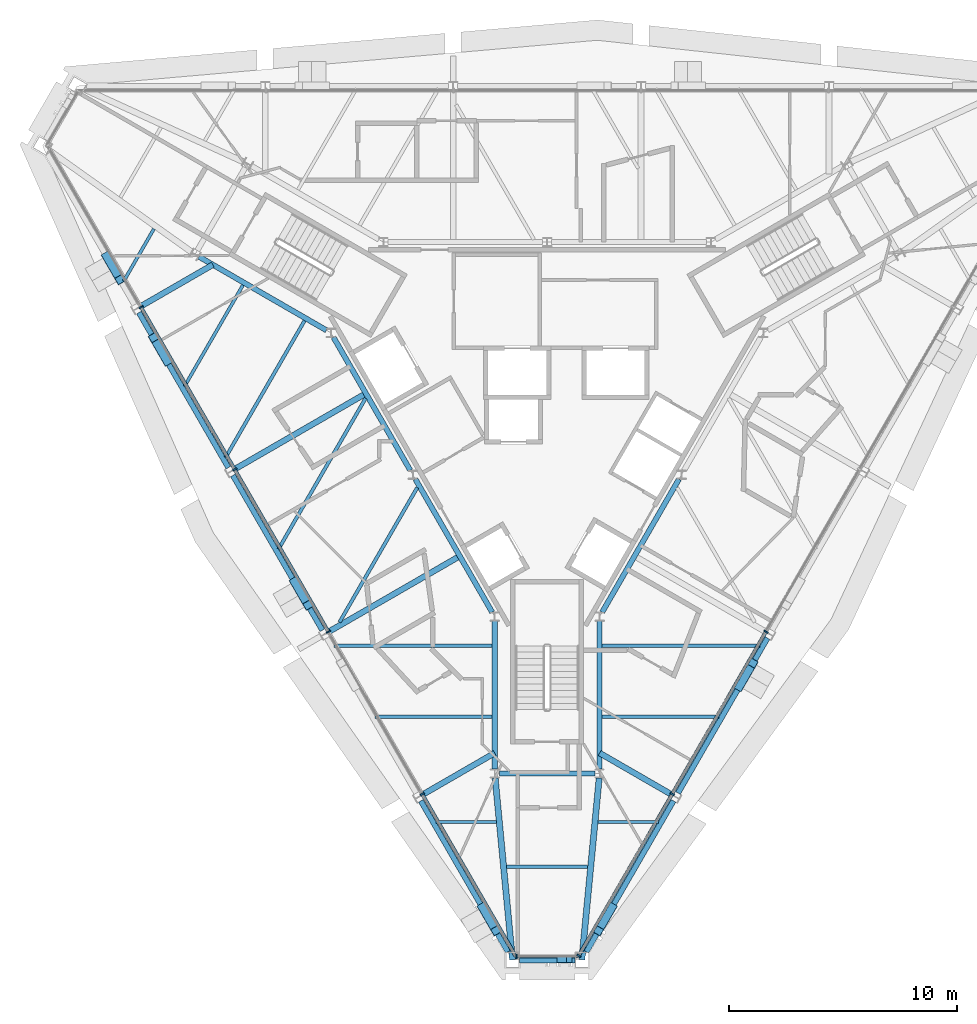
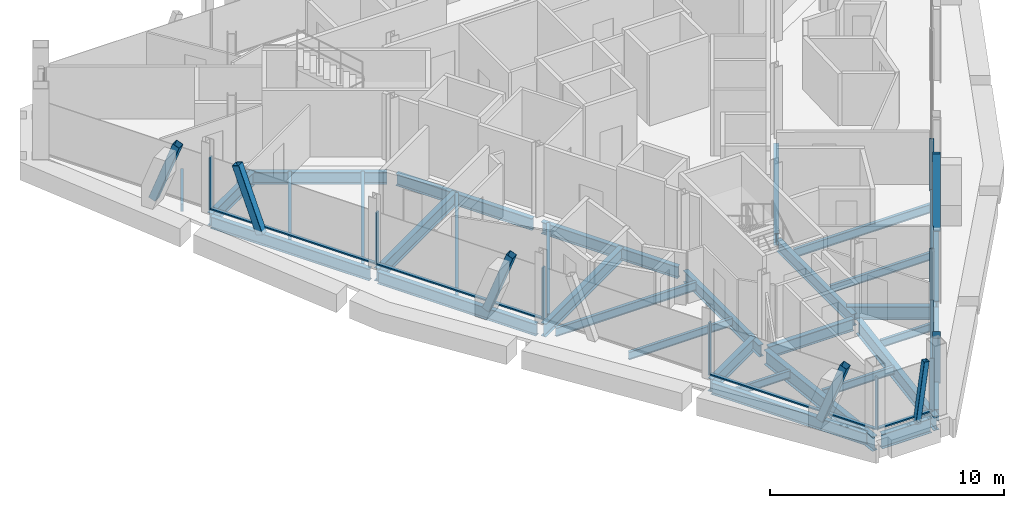
# One storey, part 3 of 13: 32 beams, 21 members, 3 elements without a shape of their own.
"""IFC4 building model written with IfcOpenShell, lengths in metres."""

from ifc_helpers import new_model, si_unit, direction, frame, origin, origin_2d, place, context, subcontext, project, spatial, rectangle, hollow_rectangle, i_section, extrude, material, material_profile, profile_set, type_object, element, aggregate, save


model = new_model("IFC4")

# Units and contexts
model_context = context("Model", 3, precision=1e-05, world=origin(), true_north=direction((0.0, 1.0)))
body_context = subcontext(model_context, "Body", "Model", "MODEL_VIEW")
ifc_project = project(units=[si_unit("LENGTHUNIT", "METRE"), si_unit("AREAUNIT", "SQUARE_METRE"), si_unit("VOLUMEUNIT", "CUBIC_METRE"), si_unit("PLANEANGLEUNIT", "RADIAN"), si_unit("MASSUNIT", "GRAM", prefix="KILO")], contexts=[model_context])

# Site, building, storey
site_placement = place(None, origin())
site = spatial("IfcSite", under=ifc_project, at=site_placement, CompositionType="ELEMENT")
building_placement = place(site_placement, origin())
building = spatial("IfcBuilding", under=site, at=building_placement, Name="Verrane Prism Tower", CompositionType="ELEMENT")
storey_placement = place(building_placement, frame((0.0, 0.0, 278.800048828125)))
storey = spatial("IfcBuildingStorey", under=building, at=storey_placement, Name="L70", CompositionType="ELEMENT", Elevation=278.800048828125)

# Member
ifc_material_1 = material(Name="Steel A500 Grade C", Category="steel")
ifc_material_profile_1 = material_profile(ifc_material_1, hollow_rectangle(XDim=0.25390625, YDim=0.25390625, WallThickness=0.009521484375, InnerFilletRadius=0.0048828125, OuterFilletRadius=0.014404296875, at=origin_2d()), Name="HSS10x10x3/8")
ifc_profile_set_1 = profile_set([ifc_material_profile_1], Name="Steel A500 Grade C")
member_type_1 = type_object("IfcMemberType", Name="Chamfer brace HSS10x10x3/8", PredefinedType="BRACE", material=ifc_profile_set_1)
member_1_placement = place(storey_placement, frame((0.547119140625, -24.669921875, -0.24267578125), z_axis=(0.135720914118, 0.0, 0.990747108737), x_axis=(0.0, 1.0, 0.0)))
element("IfcMember", 1, at=member_1_placement, inside=storey, type_object=member_type_1, Name="Chamfer brace S0 L70", PredefinedType="BRACE", context=body_context, shape_type="SweptSolid", body=[
    extrude(hollow_rectangle(XDim=0.25390625, YDim=0.25390625, WallThickness=0.009521484375, InnerFilletRadius=0.0048828125, OuterFilletRadius=0.014404296875, at=origin_2d()), origin(), (0.0, 0.0, 1.0), 3.13720703125),
])

# Beams
ifc_material_2 = material(Name="Steel A992", Category="steel")
ifc_material_profile_2 = material_profile(ifc_material_2, i_section(OverallWidth=0.2666015625, OverallDepth=0.7568359375, WebThickness=0.013916015625, FlangeThickness=0.019287109375, FilletRadius=0.0166015625, at=origin_2d()), Name="W30x108")
ifc_profile_set_2 = profile_set([ifc_material_profile_2], Name="Steel A992")
beam_type_1 = type_object("IfcBeamType", Name="Chamfer spandrel beam W30x108", PredefinedType="SPANDREL", material=ifc_profile_set_2)
beam_1_placement = place(storey_placement, frame((-1.219970703125, -24.669921875, -0.53857421875), z_axis=(1.0, 0.0, 0.0), x_axis=(0.0, 1.0, 0.0)))
element("IfcBeam", 2, at=beam_1_placement, inside=storey, type_object=beam_type_1, Name="Chamfer spandrel beam L70", PredefinedType="SPANDREL", context=body_context, shape_type="SweptSolid", body=[
    extrude(i_section(OverallWidth=0.2666015625, OverallDepth=0.7568359375, WebThickness=0.013916015625, FlangeThickness=0.019287109375, FilletRadius=0.0166015625, at=origin_2d()), origin(), (0.0, 0.0, 1.0), 2.43994140625),
])
ifc_material_3 = material(Name="Steel A992", Category="steel")
ifc_material_profile_3 = material_profile(ifc_material_3, i_section(OverallWidth=0.23046875, OverallDepth=0.6171875, WebThickness=0.01318359375, FlangeThickness=0.022216796875, FilletRadius=0.012939453125, at=origin_2d()), Name="W24x94")
ifc_profile_set_3 = profile_set([ifc_material_profile_3], Name="Steel A992")
beam_type_2 = type_object("IfcBeamType", Name="Core ring girder W24x94", PredefinedType="BEAM", material=ifc_profile_set_3)
beam_2_placement = place(storey_placement, frame((-15.267333984375, 6.160400390625, -0.55859375), z_axis=(0.866080992722, -0.499903704773, 0.0), x_axis=(0.499903704773, 0.866080992722, 0.0)))
element("IfcBeam", 3, at=beam_2_placement, inside=storey, type_object=beam_type_2, Name="Core ring girder L70", PredefinedType="BEAM", context=body_context, shape_type="SweptSolid", body=[
    extrude(i_section(OverallWidth=0.23046875, OverallDepth=0.6171875, WebThickness=0.01318359375, FlangeThickness=0.022216796875, FilletRadius=0.012939453125, at=origin_2d()), origin(), (0.0, 0.0, 1.0), 6.451904296875),
])
for number, where, z_axis, x_axis, name in (
    (4, (-9.36865234375, 2.626953125, -0.55859375), (0.499881421193, -0.866093854468, 0.0), (0.866093854468, 0.499881421193, 0.0), "Core ring girder L70"),
    (5, (-5.778564453125, -3.593017578125, -0.55859375), (0.499881421193, -0.866093854468, 0.0), (0.866093854468, 0.499881421193, 0.0), "Core ring girder L70"),
):
    element("IfcBeam", number, at=place(storey_placement, frame(where, z_axis=z_axis, x_axis=x_axis)), inside=storey, type_object=beam_type_2, Name=name, PredefinedType="BEAM", context=body_context, shape_type="SweptSolid", body=[
        extrude(i_section(OverallWidth=0.23046875, OverallDepth=0.6171875, WebThickness=0.01318359375, FlangeThickness=0.022216796875, FilletRadius=0.012939453125, at=origin_2d()), origin(), (0.0, 0.0, 1.0), 6.736083984375),
    ])
beam_3_placement = place(storey_placement, frame((-2.300048828125, -9.81298828125, -0.55859375), z_axis=(0.0, -1.0, 0.0), x_axis=(1.0, 0.0, 0.0)))
element("IfcBeam", 6, at=beam_3_placement, inside=storey, type_object=beam_type_2, Name="Core ring girder L70", PredefinedType="BEAM", context=body_context, shape_type="SweptSolid", body=[
    extrude(i_section(OverallWidth=0.23046875, OverallDepth=0.6171875, WebThickness=0.01318359375, FlangeThickness=0.022216796875, FilletRadius=0.012939453125, at=origin_2d()), origin(), (0.0, 0.0, 1.0), 6.487548828125),
])
beam_4_placement = place(storey_placement, frame((-2.099365234375, -16.5, -0.55859375), z_axis=(1.0, 0.0, 0.0), x_axis=(0.0, 1.0, 0.0)))
element("IfcBeam", 7, at=beam_4_placement, inside=storey, type_object=beam_type_2, Name="Core ring girder L70", PredefinedType="BEAM", context=body_context, shape_type="SweptSolid", body=[
    extrude(i_section(OverallWidth=0.23046875, OverallDepth=0.6171875, WebThickness=0.01318359375, FlangeThickness=0.022216796875, FilletRadius=0.012939453125, at=origin_2d()), origin(), (0.0, 0.0, 1.0), 4.19873046875),
])
beam_5_placement = place(storey_placement, frame((2.300048828125, -16.300537109375, -0.55859375), z_axis=(0.0, 1.0, 0.0), x_axis=(-1.0, 0.0, 0.0)))
element("IfcBeam", 8, at=beam_5_placement, inside=storey, type_object=beam_type_2, Name="Core ring girder L70", PredefinedType="BEAM", context=body_context, shape_type="SweptSolid", body=[
    extrude(i_section(OverallWidth=0.23046875, OverallDepth=0.6171875, WebThickness=0.01318359375, FlangeThickness=0.022216796875, FilletRadius=0.012939453125, at=origin_2d()), origin(), (0.0, 0.0, 1.0), 6.487548828125),
])
beam_6_placement = place(storey_placement, frame((2.411376953125, -9.427001953125, -0.55859375), z_axis=(0.499881421193, 0.866093854468, 0.0), x_axis=(-0.866093854468, 0.499881421193, 0.0)))
element("IfcBeam", 9, at=beam_6_placement, inside=storey, type_object=beam_type_2, Name="Core ring girder L70", PredefinedType="BEAM", context=body_context, shape_type="SweptSolid", body=[
    extrude(i_section(OverallWidth=0.23046875, OverallDepth=0.6171875, WebThickness=0.01318359375, FlangeThickness=0.022216796875, FilletRadius=0.012939453125, at=origin_2d()), origin(), (0.0, 0.0, 1.0), 6.736083984375),
])
ifc_material_4 = material(Name="Steel A992", Category="steel")
ifc_material_profile_4 = material_profile(ifc_material_4, i_section(OverallWidth=0.2666015625, OverallDepth=0.7568359375, WebThickness=0.013916015625, FlangeThickness=0.019287109375, FilletRadius=0.0166015625, at=origin_2d()), Name="W30x108")
ifc_profile_set_4 = profile_set([ifc_material_profile_4], Name="Steel A992")
beam_type_3 = type_object("IfcBeamType", Name="Corner girder W30x108", PredefinedType="BEAM", material=ifc_profile_set_4)
for number, where, z_axis, x_axis, name in (
    (10, (-1.520263671875, -24.667236328125, -0.5986328125), (-0.095045157177, 0.995472962012, 0.0), (-0.995472962012, -0.095045157177, 0.0), "Corner girder L70"),
    (11, (1.520263671875, -24.667236328125, -0.5986328125), (0.095045157177, 0.995472962012, 0.0), (-0.995472962012, 0.095045157177, 0.0), "Corner girder L70"),
):
    element("IfcBeam", number, at=place(storey_placement, frame(where, z_axis=z_axis, x_axis=x_axis)), inside=storey, type_object=beam_type_3, Name=name, PredefinedType="BEAM", context=body_context, shape_type="SweptSolid", body=[
        extrude(i_section(OverallWidth=0.2666015625, OverallDepth=0.7568359375, WebThickness=0.013916015625, FlangeThickness=0.019287109375, FilletRadius=0.0166015625, at=origin_2d()), origin(), (0.0, 0.0, 1.0), 8.00390625),
    ])

# Members
ifc_material_5 = material(Name="Steel A500 Grade C", Category="steel")
ifc_material_profile_5 = material_profile(ifc_material_5, hollow_rectangle(XDim=0.355712890625, YDim=0.355712890625, WallThickness=0.0126953125, InnerFilletRadius=0.00634765625, OuterFilletRadius=0.01904296875, at=origin_2d()), Name="HSS14x14x1/2")
ifc_profile_set_5 = profile_set([ifc_material_profile_5], Name="Steel A500 Grade C")
member_type_2 = type_object("IfcMemberType", Name="Facade brace HSS14x14x1/2", PredefinedType="BRACE", material=ifc_profile_set_5)
member_2_placement = place(storey_placement, frame((-19.32666015625, 6.178955078125, -0.216796875), z_axis=(0.17399901277, -0.301526684269, 0.937446532997), x_axis=(0.86613421761, 0.499811481546, 0.0)))
element("IfcMember", 12, at=member_2_placement, inside=storey, type_object=member_type_2, Name="Facade brace SW0 L70", PredefinedType="BRACE", context=body_context, shape_type="SweptSolid", body=[
    extrude(hollow_rectangle(XDim=0.355712890625, YDim=0.355712890625, WallThickness=0.0126953125, InnerFilletRadius=0.00634765625, OuterFilletRadius=0.01904296875, at=origin_2d()), origin(), (0.0, 0.0, 1.0), 3.40966796875),
])
member_3_placement = place(storey_placement, frame((-16.67333984375, 1.5810546875, -0.216796875), z_axis=(-0.174002769202, 0.301461587794, 0.937466771355), x_axis=(-0.86608282171, -0.499900536046, 0.0)))
element("IfcMember", 13, at=member_3_placement, inside=storey, type_object=member_type_2, Name="Facade brace SW1 L70", PredefinedType="BRACE", context=body_context, shape_type="SweptSolid", body=[
    extrude(hollow_rectangle(XDim=0.355712890625, YDim=0.355712890625, WallThickness=0.0126953125, InnerFilletRadius=0.00634765625, OuterFilletRadius=0.01904296875, at=origin_2d()), origin(), (0.0, 0.0, 1.0), 3.409423828125),
])
member_4_placement = place(storey_placement, frame((-11.086669921875, -8.09423828125, -0.216796875), z_axis=(0.174021541625, -0.301136042195, 0.937567910682), x_axis=(0.865825429664, 0.500346205489, 0.0)))
element("IfcMember", 14, at=member_4_placement, inside=storey, type_object=member_type_2, Name="Facade brace SW2 L70", PredefinedType="BRACE", context=body_context, shape_type="SweptSolid", body=[
    extrude(hollow_rectangle(XDim=0.355712890625, YDim=0.355712890625, WallThickness=0.0126953125, InnerFilletRadius=0.00634765625, OuterFilletRadius=0.01904296875, at=origin_2d()), origin(), (0.0, 0.0, 1.0), 3.4091796875),
])
for number, where, z_axis, x_axis, name in (
    (15, (-2.8466796875, -22.37109375, -0.216796875), (0.174002769202, -0.301461587794, 0.937466771355), (0.86608282171, 0.499900536046, 0.0), "Facade brace SW4 L70"),
    (16, (2.8466796875, -22.37109375, -0.216796875), (-0.174002769202, -0.301461587794, 0.937466771355), (0.86608282171, -0.499900536046, 0.0), "Facade brace SE0 L70"),
):
    element("IfcMember", number, at=place(storey_placement, frame(where, z_axis=z_axis, x_axis=x_axis)), inside=storey, type_object=member_type_2, Name=name, PredefinedType="BRACE", context=body_context, shape_type="SweptSolid", body=[
        extrude(hollow_rectangle(XDim=0.355712890625, YDim=0.355712890625, WallThickness=0.0126953125, InnerFilletRadius=0.00634765625, OuterFilletRadius=0.01904296875, at=origin_2d()), origin(), (0.0, 0.0, 1.0), 3.409423828125),
    ])
member_5_placement = place(storey_placement, frame((8.433349609375, -12.68896484375, -0.216796875), z_axis=(0.17399901277, 0.301526684269, 0.937446532997), x_axis=(-0.86613421761, 0.499811481546, 0.0)))
element("IfcMember", 17, at=member_5_placement, inside=storey, type_object=member_type_2, Name="Facade brace SE1 L70", PredefinedType="BRACE", context=body_context, shape_type="SweptSolid", body=[
    extrude(hollow_rectangle(XDim=0.355712890625, YDim=0.355712890625, WallThickness=0.0126953125, InnerFilletRadius=0.00634765625, OuterFilletRadius=0.01904296875, at=origin_2d()), origin(), (0.0, 0.0, 1.0), 3.40966796875),
])

# Beams
ifc_material_6 = material(Name="Steel A992", Category="steel")
ifc_material_profile_6 = material_profile(ifc_material_6, i_section(OverallWidth=0.140380859375, OverallDepth=0.40380859375, WebThickness=0.007080078125, FlangeThickness=0.01123046875, FilletRadius=0.01025390625, at=origin_2d()), Name="W16x31")
ifc_profile_set_6 = profile_set([ifc_material_profile_6], Name="Steel A992")
beam_type_4 = type_object("IfcBeamType", Name="Floor beam W16x31", PredefinedType="BEAM", material=ifc_profile_set_6)
beam_7_placement = place(storey_placement, frame((-18.565185546875, 5.089599609375, -0.362060546875), z_axis=(0.49994082229, 0.866059567356, 0.0), x_axis=(-0.866059567356, 0.49994082229, 0.0)))
element("IfcBeam", 18, at=beam_7_placement, inside=storey, type_object=beam_type_4, Name="Floor beam L70", PredefinedType="BEAM", context=body_context, shape_type="SweptSolid", body=[
    extrude(i_section(OverallWidth=0.140380859375, OverallDepth=0.40380859375, WebThickness=0.007080078125, FlangeThickness=0.01123046875, FilletRadius=0.01025390625, at=origin_2d()), origin(), (0.0, 0.0, 1.0), 2.645263671875),
])
beam_8_placement = place(storey_placement, frame((-15.902099609375, 0.474609375, -0.362060546875), z_axis=(0.500011000363, 0.866019052629, 0.0), x_axis=(-0.866019052629, 0.500011000363, 0.0)))
element("IfcBeam", 19, at=beam_8_placement, inside=storey, type_object=beam_type_4, Name="Floor beam L70", PredefinedType="BEAM", context=body_context, shape_type="SweptSolid", body=[
    extrude(i_section(OverallWidth=0.140380859375, OverallDepth=0.40380859375, WebThickness=0.007080078125, FlangeThickness=0.01123046875, FilletRadius=0.01025390625, at=origin_2d()), origin(), (0.0, 0.0, 1.0), 5.126953125),
])
beam_9_placement = place(storey_placement, frame((-7.538330078125, -14.010009765625, -0.362060546875), z_axis=(1.0, 0.0, 0.0), x_axis=(0.0, 1.0, 0.0)))
element("IfcBeam", 20, at=beam_9_placement, inside=storey, type_object=beam_type_4, Name="Floor beam L70", PredefinedType="BEAM", context=body_context, shape_type="SweptSolid", body=[
    extrude(i_section(OverallWidth=0.140380859375, OverallDepth=0.40380859375, WebThickness=0.007080078125, FlangeThickness=0.01123046875, FilletRadius=0.01025390625, at=origin_2d()), origin(), (0.0, 0.0, 1.0), 5.123291015625),
])
for number, where, z_axis, x_axis, name in (
    (21, (-4.876220703125, -18.623291015625, -0.362060546875), (1.0, 0.0, 0.0), (0.0, 1.0, 0.0), "Floor beam L70"),
    (22, (2.2314453125, -18.623291015625, -0.362060546875), (1.0, 0.0, 0.0), (0.0, 1.0, 0.0), "Floor beam L70"),
):
    element("IfcBeam", number, at=place(storey_placement, frame(where, z_axis=z_axis, x_axis=x_axis)), inside=storey, type_object=beam_type_4, Name=name, PredefinedType="BEAM", context=body_context, shape_type="SweptSolid", body=[
        extrude(i_section(OverallWidth=0.140380859375, OverallDepth=0.40380859375, WebThickness=0.007080078125, FlangeThickness=0.01123046875, FilletRadius=0.01025390625, at=origin_2d()), origin(), (0.0, 0.0, 1.0), 2.644775390625),
    ])
beam_10_placement = place(storey_placement, frame((2.4150390625, -14.010009765625, -0.362060546875), z_axis=(1.0, 0.0, 0.0), x_axis=(0.0, 1.0, 0.0)))
element("IfcBeam", 23, at=beam_10_placement, inside=storey, type_object=beam_type_4, Name="Floor beam L70", PredefinedType="BEAM", context=body_context, shape_type="SweptSolid", body=[
    extrude(i_section(OverallWidth=0.140380859375, OverallDepth=0.40380859375, WebThickness=0.007080078125, FlangeThickness=0.01123046875, FilletRadius=0.01025390625, at=origin_2d()), origin(), (0.0, 0.0, 1.0), 5.123291015625),
])
beam_11_placement = place(storey_placement, frame((-1.77587890625, -20.5849609375, -0.362060546875), z_axis=(1.0, 0.0, 0.0), x_axis=(0.0, 1.0, 0.0)))
element("IfcBeam", 24, at=beam_11_placement, inside=storey, type_object=beam_type_4, Name="Floor beam L70", PredefinedType="BEAM", context=body_context, shape_type="SweptSolid", body=[
    extrude(i_section(OverallWidth=0.140380859375, OverallDepth=0.40380859375, WebThickness=0.007080078125, FlangeThickness=0.01123046875, FilletRadius=0.01025390625, at=origin_2d()), origin(), (0.0, 0.0, 1.0), 3.5517578125),
])
ifc_material_7 = material(Name="Steel A992", Category="steel")
ifc_material_profile_7 = material_profile(ifc_material_7, i_section(OverallWidth=0.15234375, OverallDepth=0.449462890625, WebThickness=0.007568359375, FlangeThickness=0.0107421875, FilletRadius=0.01025390625, at=origin_2d()), Name="W18x35")
ifc_profile_set_7 = profile_set([ifc_material_profile_7], Name="Steel A992")
beam_type_5 = type_object("IfcBeamType", Name="Floor beam W18x35", PredefinedType="BEAM", material=ifc_profile_set_7)
beam_12_placement = place(storey_placement, frame((-14.1015625, -2.64599609375, -0.384765625), z_axis=(0.49999287541, 0.866029517129, 0.0), x_axis=(-0.866029517129, 0.49999287541, 0.0)))
element("IfcBeam", 25, at=beam_12_placement, inside=storey, type_object=beam_type_5, Name="Floor beam L70", PredefinedType="BEAM", context=body_context, shape_type="SweptSolid", body=[
    extrude(i_section(OverallWidth=0.15234375, OverallDepth=0.449462890625, WebThickness=0.007568359375, FlangeThickness=0.0107421875, FilletRadius=0.01025390625, at=origin_2d()), origin(), (0.0, 0.0, 1.0), 6.92919921875),
])
beam_13_placement = place(storey_placement, frame((-9.103271484375, -9.864501953125, -0.384765625), z_axis=(0.49999337185, 0.866029230515, 0.0), x_axis=(-0.866029230515, 0.49999337185, 0.0)))
element("IfcBeam", 26, at=beam_13_placement, inside=storey, type_object=beam_type_5, Name="Floor beam L70", PredefinedType="BEAM", context=body_context, shape_type="SweptSolid", body=[
    extrude(i_section(OverallWidth=0.15234375, OverallDepth=0.449462890625, WebThickness=0.007568359375, FlangeThickness=0.0107421875, FilletRadius=0.01025390625, at=origin_2d()), origin(), (0.0, 0.0, 1.0), 6.8125),
])
beam_14_placement = place(storey_placement, frame((-11.78076171875, -6.6630859375, -0.384765625), z_axis=(0.499997113229, 0.866027070456, 0.0), x_axis=(-0.866027070456, 0.499997113229, 0.0)))
element("IfcBeam", 27, at=beam_14_placement, inside=storey, type_object=beam_type_5, Name="Floor beam L70", PredefinedType="BEAM", context=body_context, shape_type="SweptSolid", body=[
    extrude(i_section(OverallWidth=0.15234375, OverallDepth=0.449462890625, WebThickness=0.007568359375, FlangeThickness=0.0107421875, FilletRadius=0.01025390625, at=origin_2d()), origin(), (0.0, 0.0, 1.0), 7.64306640625),
])
for number, where, z_axis, x_axis, name in (
    (28, (-9.338623046875, -10.889892578125, -0.384765625), (1.0, 0.0, 0.0), (0.0, 1.0, 0.0), "Floor beam L70"),
    (29, (2.4150390625, -10.889892578125, -0.384765625), (1.0, 0.0, 0.0), (0.0, 1.0, 0.0), "Floor beam L70"),
):
    element("IfcBeam", number, at=place(storey_placement, frame(where, z_axis=z_axis, x_axis=x_axis)), inside=storey, type_object=beam_type_5, Name=name, PredefinedType="BEAM", context=body_context, shape_type="SweptSolid", body=[
        extrude(i_section(OverallWidth=0.15234375, OverallDepth=0.449462890625, WebThickness=0.007568359375, FlangeThickness=0.0107421875, FilletRadius=0.01025390625, at=origin_2d()), origin(), (0.0, 0.0, 1.0), 6.923583984375),
    ])

# Curtain wall, members
ifc_material_8 = material(Name="Aluminium framed insulated glazing", Category="aluminium")
curtain_wall_type = type_object("IfcCurtainWallType", Name="Curtain wall CW-A 8400 module", PredefinedType="NOTDEFINED", material=ifc_material_8)
curtain_wall_1_placement = place(storey_placement, origin())
curtain_wall_1 = element("IfcCurtainWall", 30, at=curtain_wall_1_placement, inside=storey, type_object=curtain_wall_type, Name="Glazed curtain wall south-west face L70", PredefinedType="NOTDEFINED")
ifc_material_9 = material(Name="Aluminium alloy 6063-T6", Category="aluminium")
ifc_material_profile_8 = material_profile(ifc_material_9, rectangle(XDim=0.199951171875, YDim=0.070068359375, at=origin_2d()), Name="Mullion 70x200 aluminium")
ifc_profile_set_8 = profile_set([ifc_material_profile_8], Name="Aluminium alloy 6063-T6")
member_type_3 = type_object("IfcMemberType", Name="Mullion 70x200 aluminium", PredefinedType="MULLION", material=ifc_profile_set_8)
member_6_placement = place(storey_placement, frame((-17.8095703125, 3.952392578125, 0.0), z_axis=(0.0, 0.0, 1.0), x_axis=(0.866024861728, 0.500000938868, 0.0)))
member_6 = element("IfcMember", 31, at=member_6_placement, type_object=member_type_3, Name="CW69.4 mullion 2", PredefinedType="MULLION", context=body_context, shape_type="SweptSolid", body=[
    extrude(rectangle(XDim=0.199951171875, YDim=0.070068359375, at=origin_2d()), origin(), (0.0, 0.0, 1.0), 2.72314453125),
])
member_7_placement = place(storey_placement, frame((-13.7001953125, -3.1650390625, 0.0), z_axis=(0.0, 0.0, 1.0), x_axis=(0.866024861728, 0.500000938868, 0.0)))
member_7 = element("IfcMember", 32, at=member_7_placement, type_object=member_type_3, Name="CW69.4 mullion 3", PredefinedType="MULLION", context=body_context, shape_type="SweptSolid", body=[
    extrude(rectangle(XDim=0.199951171875, YDim=0.070068359375, at=origin_2d()), origin(), (0.0, 0.0, 1.0), 2.72314453125),
])
member_8_placement = place(storey_placement, frame((-9.591064453125, -10.2822265625, 0.0), z_axis=(0.0, 0.0, 1.0), x_axis=(0.866024861728, 0.500000938868, 0.0)))
member_8 = element("IfcMember", 33, at=member_8_placement, type_object=member_type_3, Name="CW69.4 mullion 4", PredefinedType="MULLION", context=body_context, shape_type="SweptSolid", body=[
    extrude(rectangle(XDim=0.199951171875, YDim=0.070068359375, at=origin_2d()), origin(), (0.0, 0.0, 1.0), 2.72314453125),
])
member_9_placement = place(storey_placement, frame((-5.48193359375, -17.399658203125, 0.0), z_axis=(0.0, 0.0, 1.0), x_axis=(0.866024861728, 0.500000938868, 0.0)))
member_9 = element("IfcMember", 34, at=member_9_placement, type_object=member_type_3, Name="CW69.4 mullion 5", PredefinedType="MULLION", context=body_context, shape_type="SweptSolid", body=[
    extrude(rectangle(XDim=0.199951171875, YDim=0.070068359375, at=origin_2d()), origin(), (0.0, 0.0, 1.0), 2.72314453125),
])

# Curtain wall, member
curtain_wall_2_placement = place(storey_placement, origin())
curtain_wall_2 = element("IfcCurtainWall", 35, at=curtain_wall_2_placement, inside=storey, type_object=curtain_wall_type, Name="Glazed curtain wall south corner L70", PredefinedType="NOTDEFINED")
member_10_placement = place(storey_placement, frame((-1.337646484375, -24.51708984375, 0.0), z_axis=(0.0, 0.0, 1.0), x_axis=(0.0, 1.0, 0.0)))
member_10 = element("IfcMember", 36, at=member_10_placement, type_object=member_type_3, Name="CW69.5 mullion 1", PredefinedType="MULLION", context=body_context, shape_type="SweptSolid", body=[
    extrude(rectangle(XDim=0.199951171875, YDim=0.070068359375, at=origin_2d()), origin(), (0.0, 0.0, 1.0), 2.72314453125),
])

# Curtain wall, members
curtain_wall_3_placement = place(storey_placement, origin())
curtain_wall_3 = element("IfcCurtainWall", 37, at=curtain_wall_3_placement, inside=storey, type_object=curtain_wall_type, Name="Glazed curtain wall south-east face L70", PredefinedType="NOTDEFINED")
member_11_placement = place(storey_placement, frame((1.39013671875, -24.486572265625, 0.0), z_axis=(0.0, 0.0, 1.0), x_axis=(-0.866024861728, 0.500000938868, 0.0)))
member_11 = element("IfcMember", 38, at=member_11_placement, type_object=member_type_3, Name="CW69.6 mullion 1", PredefinedType="MULLION", context=body_context, shape_type="SweptSolid", body=[
    extrude(rectangle(XDim=0.199951171875, YDim=0.070068359375, at=origin_2d()), origin(), (0.0, 0.0, 1.0), 2.72314453125),
])
member_12_placement = place(storey_placement, frame((5.48193359375, -17.399658203125, 0.0), z_axis=(0.0, 0.0, 1.0), x_axis=(-0.866024861728, 0.500000938868, 0.0)))
member_12 = element("IfcMember", 39, at=member_12_placement, type_object=member_type_3, Name="CW69.6 mullion 2", PredefinedType="MULLION", context=body_context, shape_type="SweptSolid", body=[
    extrude(rectangle(XDim=0.199951171875, YDim=0.070068359375, at=origin_2d()), origin(), (0.0, 0.0, 1.0), 2.72314453125),
])
member_13_placement = place(storey_placement, frame((9.591064453125, -10.2822265625, 0.0), z_axis=(0.0, 0.0, 1.0), x_axis=(-0.866024861728, 0.500000938868, 0.0)))
member_13 = element("IfcMember", 40, at=member_13_placement, type_object=member_type_3, Name="CW69.6 mullion 3", PredefinedType="MULLION", context=body_context, shape_type="SweptSolid", body=[
    extrude(rectangle(XDim=0.199951171875, YDim=0.070068359375, at=origin_2d()), origin(), (0.0, 0.0, 1.0), 2.72314453125),
])

# Beams
ifc_material_10 = material(Name="Steel A992", Category="steel")
ifc_material_profile_9 = material_profile(ifc_material_10, i_section(OverallWidth=0.25390625, OverallDepth=0.683349609375, WebThickness=0.012451171875, FlangeThickness=0.01904296875, FilletRadius=0.01513671875, at=origin_2d()), Name="W27x94")
ifc_profile_set_9 = profile_set([ifc_material_profile_9], Name="Steel A992")
beam_type_6 = type_object("IfcBeamType", Name="Radial girder W27x94", PredefinedType="BEAM", material=ifc_profile_set_9)
beam_15_placement = place(storey_placement, frame((-17.837158203125, 3.97412109375, -0.561767578125), z_axis=(0.866040472627, 0.499973899091, 0.0), x_axis=(-0.499973899091, 0.866040472627, 0.0)))
element("IfcBeam", 41, at=beam_15_placement, inside=storey, type_object=beam_type_6, Name="Radial girder L70", PredefinedType="BEAM", context=body_context, shape_type="SweptSolid", body=[
    extrude(i_section(OverallWidth=0.25390625, OverallDepth=0.683349609375, WebThickness=0.012451171875, FlangeThickness=0.01904296875, FilletRadius=0.01513671875, at=origin_2d()), origin(), (0.0, 0.0, 1.0), 3.670166015625),
])
beam_16_placement = place(storey_placement, frame((-13.71728515625, -3.166015625, -0.561767578125), z_axis=(0.866033637652, 0.499985738252, 0.0), x_axis=(-0.499985738252, 0.866033637652, 0.0)))
element("IfcBeam", 42, at=beam_16_placement, inside=storey, type_object=beam_type_6, Name="Radial girder L70", PredefinedType="BEAM", context=body_context, shape_type="SweptSolid", body=[
    extrude(i_section(OverallWidth=0.25390625, OverallDepth=0.683349609375, WebThickness=0.012451171875, FlangeThickness=0.01904296875, FilletRadius=0.01513671875, at=origin_2d()), origin(), (0.0, 0.0, 1.0), 6.662353515625),
])
beam_17_placement = place(storey_placement, frame((-9.59716796875, -10.2958984375, -0.561767578125), z_axis=(0.866029870483, 0.499992263371, 0.0), x_axis=(-0.499992263371, 0.866029870483, 0.0)))
element("IfcBeam", 43, at=beam_17_placement, inside=storey, type_object=beam_type_6, Name="Radial girder L70", PredefinedType="BEAM", context=body_context, shape_type="SweptSolid", body=[
    extrude(i_section(OverallWidth=0.25390625, OverallDepth=0.683349609375, WebThickness=0.012451171875, FlangeThickness=0.01904296875, FilletRadius=0.01513671875, at=origin_2d()), origin(), (0.0, 0.0, 1.0), 6.65771484375),
])
for number, where, z_axis, x_axis, name in (
    (44, (-5.477294921875, -17.43603515625, -0.561767578125), (0.866043741627, 0.499968236579, 0.0), (-0.499968236579, 0.866043741627, 0.0), "Radial girder L70"),
    (45, (5.477294921875, -17.43603515625, -0.561767578125), (-0.866043741627, 0.499968236579, 0.0), (-0.499968236579, -0.866043741627, 0.0), "Radial girder L70"),
):
    element("IfcBeam", number, at=place(storey_placement, frame(where, z_axis=z_axis, x_axis=x_axis)), inside=storey, type_object=beam_type_6, Name=name, PredefinedType="BEAM", context=body_context, shape_type="SweptSolid", body=[
        extrude(i_section(OverallWidth=0.25390625, OverallDepth=0.683349609375, WebThickness=0.012451171875, FlangeThickness=0.01904296875, FilletRadius=0.01513671875, at=origin_2d()), origin(), (0.0, 0.0, 1.0), 3.668701171875),
    ])
ifc_material_11 = material(Name="Steel A992", Category="steel")
ifc_material_profile_10 = material_profile(ifc_material_11, i_section(OverallWidth=0.23046875, OverallDepth=0.6171875, WebThickness=0.01318359375, FlangeThickness=0.022216796875, FilletRadius=0.012939453125, at=origin_2d()), Name="W24x94")
ifc_profile_set_10 = profile_set([ifc_material_profile_10], Name="Steel A992")
beam_type_7 = type_object("IfcBeamType", Name="Spandrel beam W24x94", PredefinedType="SPANDREL", material=ifc_profile_set_10)
beam_18_placement = place(storey_placement, frame((-17.901611328125, 3.70947265625, -0.46875), z_axis=(0.499775405071, -0.866155034902, 0.0), x_axis=(0.866155034902, 0.499775405071, 0.0)))
element("IfcBeam", 46, at=beam_18_placement, inside=storey, type_object=beam_type_7, Name="Spandrel beam L70", PredefinedType="SPANDREL", context=body_context, shape_type="SweptSolid", body=[
    extrude(i_section(OverallWidth=0.23046875, OverallDepth=0.6171875, WebThickness=0.01318359375, FlangeThickness=0.022216796875, FilletRadius=0.012939453125, at=origin_2d()), origin(), (0.0, 0.0, 1.0), 7.849609375),
])
beam_19_placement = place(storey_placement, frame((-13.781494140625, -3.430419921875, -0.46875), z_axis=(0.500327915282, -0.865835999015, 0.0), x_axis=(0.865835999015, 0.500327915282, 0.0)))
element("IfcBeam", 47, at=beam_19_placement, inside=storey, type_object=beam_type_7, Name="Spandrel beam L70", PredefinedType="SPANDREL", context=body_context, shape_type="SweptSolid", body=[
    extrude(i_section(OverallWidth=0.23046875, OverallDepth=0.6171875, WebThickness=0.01318359375, FlangeThickness=0.022216796875, FilletRadius=0.012939453125, at=origin_2d()), origin(), (0.0, 0.0, 1.0), 7.841064453125),
])
for number, where, z_axis, x_axis, name in (
    (48, (-5.54150390625, -17.700439453125, -0.46875), (0.499777762154, -0.86615367485, 0.0), (0.86615367485, 0.499777762154, 0.0), "Spandrel beam L70"),
    (49, (1.721923828125, -24.320068359375, -0.46875), (0.499777762154, 0.86615367485, 0.0), (-0.86615367485, 0.499777762154, 0.0), "Spandrel beam L70"),
):
    element("IfcBeam", number, at=place(storey_placement, frame(where, z_axis=z_axis, x_axis=x_axis)), inside=storey, type_object=beam_type_7, Name=name, PredefinedType="SPANDREL", context=body_context, shape_type="SweptSolid", body=[
        extrude(i_section(OverallWidth=0.23046875, OverallDepth=0.6171875, WebThickness=0.01318359375, FlangeThickness=0.022216796875, FilletRadius=0.012939453125, at=origin_2d()), origin(), (0.0, 0.0, 1.0), 7.642578125),
    ])
beam_20_placement = place(storey_placement, frame((5.73828125, -17.359619140625, -0.46875), z_axis=(0.499798737888, 0.866141571341, 0.0), x_axis=(-0.866141571341, 0.499798737888, 0.0)))
element("IfcBeam", 50, at=beam_20_placement, inside=storey, type_object=beam_type_7, Name="Spandrel beam L70", PredefinedType="SPANDREL", context=body_context, shape_type="SweptSolid", body=[
    extrude(i_section(OverallWidth=0.23046875, OverallDepth=0.6171875, WebThickness=0.01318359375, FlangeThickness=0.022216796875, FilletRadius=0.012939453125, at=origin_2d()), origin(), (0.0, 0.0, 1.0), 7.849853515625),
])

# Member
ifc_material_12 = material(Name="Aluminium alloy 6063-T6", Category="aluminium")
ifc_material_profile_11 = material_profile(ifc_material_12, rectangle(XDim=0.14990234375, YDim=0.070068359375, at=origin_2d()), Name="Transom 70x150 aluminium")
ifc_profile_set_11 = profile_set([ifc_material_profile_11], Name="Aluminium alloy 6063-T6")
member_type_4 = type_object("IfcMemberType", Name="Transom 70x150 aluminium", PredefinedType="USERDEFINED", material=ifc_profile_set_11)
member_14_placement = place(storey_placement, frame((-17.7919921875, 3.922119140625, 0.034912109375), z_axis=(0.500006018292, -0.866021929094, 0.0), x_axis=(0.866021929094, 0.500006018292, 0.0)))
member_14 = element("IfcMember", 51, at=member_14_placement, type_object=member_type_4, Name="CW69.4 transom 2", ObjectType="TRANSOM", PredefinedType="USERDEFINED", context=body_context, shape_type="SweptSolid", body=[
    extrude(rectangle(XDim=0.14990234375, YDim=0.070068359375, at=origin_2d()), origin(), (0.0, 0.0, 1.0), 8.1484375),
])

member_15_placement = place(storey_placement, frame((-13.682861328125, -3.1953125, 0.034912109375), z_axis=(0.500006018292, -0.866021929094, 0.0), x_axis=(0.866021929094, 0.500006018292, 0.0)))
member_15 = element("IfcMember", 52, at=member_15_placement, type_object=member_type_4, Name="CW69.4 transom 3", ObjectType="TRANSOM", PredefinedType="USERDEFINED", context=body_context, shape_type="SweptSolid", body=[
    extrude(rectangle(XDim=0.14990234375, YDim=0.070068359375, at=origin_2d()), origin(), (0.0, 0.0, 1.0), 8.1484375),
])

member_16_placement = place(storey_placement, frame((-5.46435546875, -17.429931640625, 0.034912109375), z_axis=(0.500002215902, -0.866024124429, 0.0), x_axis=(0.866024124429, 0.500002215902, 0.0)))
member_16 = element("IfcMember", 53, at=member_16_placement, type_object=member_type_4, Name="CW69.4 transom 5", ObjectType="TRANSOM", PredefinedType="USERDEFINED", context=body_context, shape_type="SweptSolid", body=[
    extrude(rectangle(XDim=0.14990234375, YDim=0.070068359375, at=origin_2d()), origin(), (0.0, 0.0, 1.0), 8.18359375),
])

aggregate(curtain_wall_1, [member_6, member_7, member_8, member_9, member_14, member_15, member_16])

member_17_placement = place(storey_placement, frame((-1.302490234375, -24.51708984375, 0.034912109375), z_axis=(1.0, 0.0, 0.0), x_axis=(0.0, 1.0, 0.0)))
member_17 = element("IfcMember", 54, at=member_17_placement, type_object=member_type_4, Name="CW69.5 transom 1", ObjectType="TRANSOM", PredefinedType="USERDEFINED", context=body_context, shape_type="SweptSolid", body=[
    extrude(rectangle(XDim=0.14990234375, YDim=0.070068359375, at=origin_2d()), origin(), (0.0, 0.0, 1.0), 2.675048828125),
])

aggregate(curtain_wall_2, [member_10, member_17])

member_18_placement = place(storey_placement, frame((1.40771484375, -24.456298828125, 0.034912109375), z_axis=(0.499996823547, 0.866027237703, 0.0), x_axis=(-0.866027237703, 0.499996823547, 0.0)))
member_18 = element("IfcMember", 55, at=member_18_placement, type_object=member_type_4, Name="CW69.6 transom 1", ObjectType="TRANSOM", PredefinedType="USERDEFINED", context=body_context, shape_type="SweptSolid", body=[
    extrude(rectangle(XDim=0.14990234375, YDim=0.070068359375, at=origin_2d()), origin(), (0.0, 0.0, 1.0), 8.11328125),
])

member_19_placement = place(storey_placement, frame((5.499267578125, -17.369384765625, 0.034912109375), z_axis=(0.499993044538, 0.866029419485, 0.0), x_axis=(-0.866029419485, 0.499993044538, 0.0)))
member_19 = element("IfcMember", 56, at=member_19_placement, type_object=member_type_4, Name="CW69.6 transom 2", ObjectType="TRANSOM", PredefinedType="USERDEFINED", context=body_context, shape_type="SweptSolid", body=[
    extrude(rectangle(XDim=0.14990234375, YDim=0.070068359375, at=origin_2d()), origin(), (0.0, 0.0, 1.0), 8.1484375),
])

aggregate(curtain_wall_3, [member_11, member_12, member_13, member_18, member_19])

save(model, "model.ifc")
